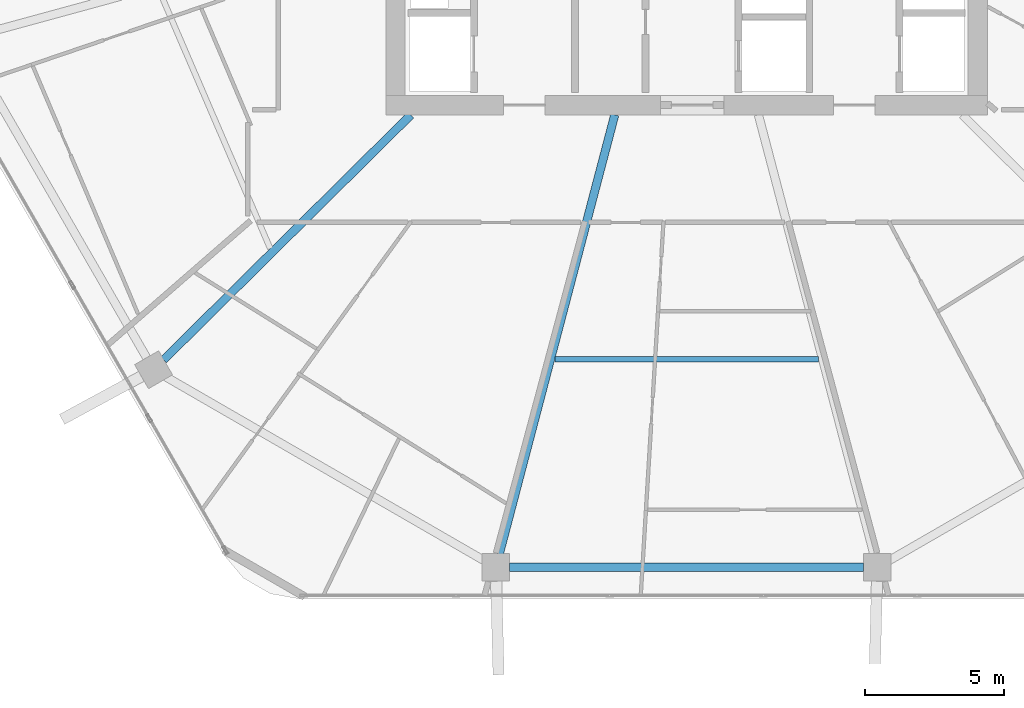
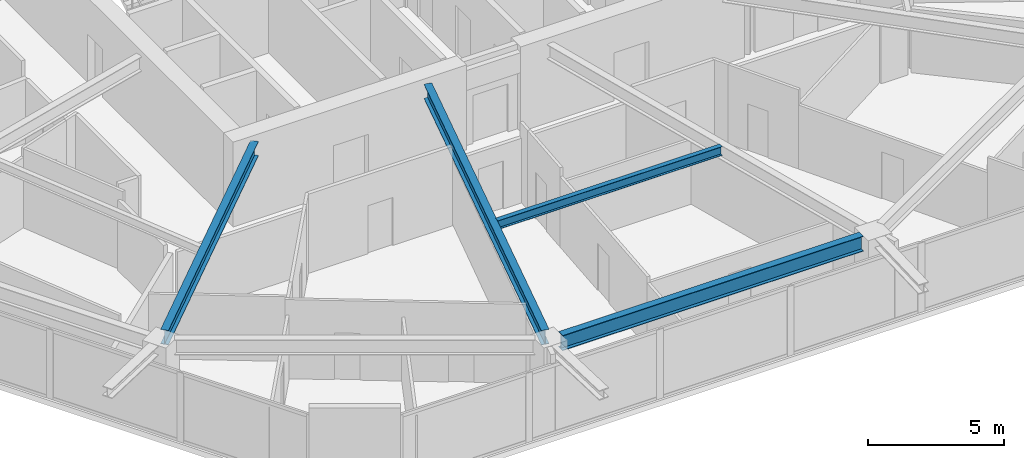
# One storey, part 4 of 26: 4 beams.
"""IFC4 building model written with IfcOpenShell, lengths in metres."""

import ifcopenshell
import ifcopenshell.guid

model = None  # the IFC model being written
_history = None  # IfcOwnerHistory: only IFC2X3 demands one
_inside = {}  # id of a spatial element -> (the spatial element, [elements in it])
_under = {}  # id of a project, library or spatial element -> (it, [spatial elements below it])
_declared = {}  # id of a project -> (the project, [libraries it declares])
_typed = {}  # id of a type object -> (the type object, [elements of that type])
_made_of = {}  # id of a material, layer set ... -> (it, [elements and type objects made of it])


def new_model(schema):
    """Start an empty IFC model of exactly this schema.

    Asked for "IFC4X3", IfcOpenShell would pick the latest addendum, in which some entities
    have other attributes; the version numbers below select the first issue.
    IFC2X3 requires an IfcOwnerHistory on every rooted entity: one is made here for all.
    """
    global model, _history
    if schema == "IFC4X3":
        model = ifcopenshell.file(schema_version=(4, 3, 0, 0))
    else:
        model = ifcopenshell.file(schema=schema)
    _inside.clear()
    _under.clear()
    _declared.clear()
    _typed.clear()
    _made_of.clear()
    _history = None
    if model.schema == "IFC2X3":
        org = make("IfcOrganization", Name="unknown")
        user = make(
            "IfcPersonAndOrganization",
            ThePerson=make("IfcPerson", FamilyName="unknown"),
            TheOrganization=org,
        )
        app = make(
            "IfcApplication",
            ApplicationDeveloper=org,
            Version="unknown",
            ApplicationFullName="unknown",
            ApplicationIdentifier="unknown",
        )
        _history = make(
            "IfcOwnerHistory",
            OwningUser=user,
            OwningApplication=app,
            ChangeAction="ADDED",
            CreationDate=0,
        )
    return model


def make(cls, **values):
    """One entity of the class cls with the attributes given. An attribute that is None is left unset."""
    return model.create_entity(
        cls, **{name: value for name, value in values.items() if value is not None}
    )


def rooted(cls, **values):
    """An entity with a GlobalId (a new one), such as an element, a storey or a relation."""
    return make(cls, GlobalId=ifcopenshell.guid.new(), OwnerHistory=_history, **values)


def si_unit(unit_type, name, prefix=None):
    """IfcSIUnit, for example si_unit("LENGTHUNIT", "METRE", prefix="MILLI")."""
    return make("IfcSIUnit", UnitType=unit_type, Prefix=prefix, Name=name)


def assignment(units):
    """IfcUnitAssignment: the units of a project."""
    return None if units is None else make("IfcUnitAssignment", Units=units)


def point(xyz):
    """IfcCartesianPoint."""
    return None if xyz is None else make("IfcCartesianPoint", Coordinates=xyz)


def direction(xyz):
    """IfcDirection."""
    return None if xyz is None else make("IfcDirection", DirectionRatios=xyz)


def frame(location, z_axis=None, x_axis=None):
    """IfcAxis2Placement3D, a coordinate frame: its origin and axes. An axis left out is left unset."""
    return make(
        "IfcAxis2Placement3D",
        Location=point(location),
        Axis=direction(z_axis),
        RefDirection=direction(x_axis),
    )


def frame_2d(location, x_axis=None):
    """IfcAxis2Placement2D, a coordinate frame in the plane: its origin and x axis."""
    return make(
        "IfcAxis2Placement2D", Location=point(location), RefDirection=direction(x_axis)
    )


def origin():
    """The frame at (0, 0, 0) with its axes left unset."""
    return frame((0.0, 0.0, 0.0))


def origin_2d():
    """The frame at (0, 0) in the plane with its x axis left unset."""
    return frame_2d((0.0, 0.0))


def place(relative_to, where):
    """IfcLocalPlacement: puts the frame where relative to a parent placement (None: the world)."""
    return make(
        "IfcLocalPlacement", PlacementRelTo=relative_to, RelativePlacement=where
    )


def context(
    kind, dimensions, precision=None, world=None, true_north=None, identifier=None
):
    """IfcGeometricRepresentationContext, for example the 3D "Model" context."""
    return make(
        "IfcGeometricRepresentationContext",
        ContextIdentifier=identifier,
        ContextType=kind,
        CoordinateSpaceDimension=dimensions,
        Precision=precision,
        WorldCoordinateSystem=world,
        TrueNorth=true_north,
    )


def subcontext(parent, identifier, kind, view, scale=None):
    """IfcGeometricRepresentationSubContext, for example "Body" below "Model"."""
    return make(
        "IfcGeometricRepresentationSubContext",
        ContextIdentifier=identifier,
        ContextType=kind,
        ParentContext=parent,
        TargetScale=scale,
        TargetView=view,
    )


def project(units=None, contexts=None):
    """IfcProject with its units and contexts."""
    return rooted(
        "IfcProject",
        Name="project",
        RepresentationContexts=contexts,
        UnitsInContext=assignment(units),
    )


def spatial(cls, under=None, at=None, **own):
    """A site, building, storey or space (cls), placed at a placement, below another one or the project."""
    s = rooted(cls, ObjectPlacement=at, **own)
    if under is not None:
        _under.setdefault(under.id(), (under, []))[1].append(s)
    return s


def profile(cls, at=None, kind="AREA", **sizes):
    """A parametric profile (cls). Its sizes go by their IFC names, for example OverallWidth=200.0."""
    return make(cls, ProfileType=kind, Position=at, **sizes)


def i_section(**sizes):
    """IfcIShapeProfileDef."""
    return profile("IfcIShapeProfileDef", **sizes)


def extrude(swept, where, along, depth):
    """IfcExtrudedAreaSolid: the profile swept, set in the frame where, extruded along a direction by depth."""
    return make(
        "IfcExtrudedAreaSolid",
        SweptArea=swept,
        Position=where,
        ExtrudedDirection=direction(along),
        Depth=depth,
    )


def shape(context_of_items, identifier, shape_type, items):
    """IfcShapeRepresentation: the items that make up one representation, for example the "Body"."""
    return make(
        "IfcShapeRepresentation",
        ContextOfItems=context_of_items,
        RepresentationIdentifier=identifier,
        RepresentationType=shape_type,
        Items=items,
    )


def material(Name=None, Category=None):
    """IfcMaterial."""
    return make("IfcMaterial", Name=Name, Category=Category)


def material_profile(
    of_material, cross_section, Name=None, Category=None, Priority=None
):
    """IfcMaterialProfile: a cross section and its material."""
    return make(
        "IfcMaterialProfile",
        Name=Name,
        Material=of_material,
        Profile=cross_section,
        Priority=Priority,
        Category=Category,
    )


def profile_set(profiles, Name=None, composite=None):
    """IfcMaterialProfileSet."""
    return make(
        "IfcMaterialProfileSet",
        Name=Name,
        MaterialProfiles=profiles,
        CompositeProfile=composite,
    )


def made_of(thing, what):
    """Note that an element or type object is made of a material, layer set ...; save() writes the relation."""
    if what is not None:
        _made_of.setdefault(what.id(), (what, []))[1].append(thing)
    return thing


def type_object(cls, material=None, **own):
    """A type object (cls), such as IfcWallType, which elements share."""
    return made_of(rooted(cls, **own), material)


def element(
    cls,
    number,
    at=None,
    inside=None,
    cuts=None,
    type_object=None,
    material=None,
    context=None,
    identifier="Body",
    shape_type=None,
    held_by="IfcProductDefinitionShape",
    body=None,
    shapes=None,
    **own,
):
    """One element of the class cls, such as IfcWall. Its Tag is "e" and its number.

    at: its placement. inside: the storey or other place that contains it. cuts: it is an
    opening in that element (IfcRelVoidsElement). A single representation is given by context,
    identifier, shape_type and body (its items); several are given by shapes. held_by: the class
    of the entity that holds the representations. save() writes the other relations.
    """
    e = rooted(cls, Tag="e%d" % number, ObjectPlacement=at, **own)
    if body is not None:
        shapes = [shape(context, identifier, shape_type, body)]
    if shapes is not None:
        e.Representation = make(held_by, Representations=shapes)
    if inside is not None:
        _inside.setdefault(inside.id(), (inside, []))[1].append(e)
    if cuts is not None:
        rooted(
            "IfcRelVoidsElement", RelatingBuildingElement=cuts, RelatedOpeningElement=e
        )
    if type_object is not None:
        _typed.setdefault(type_object.id(), (type_object, []))[1].append(e)
    return made_of(e, material)


def aggregate(whole, parts):
    """IfcRelAggregates: a whole, such as a stair, and the parts it consists of."""
    return rooted("IfcRelAggregates", RelatingObject=whole, RelatedObjects=parts)


def save(model, path):
    """Write the relations noted so far, then the file.

    IfcRelAggregates (storeys below a building ...), IfcRelContainedInSpatialStructure (elements
    in a storey), IfcRelDefinesByType, IfcRelAssociatesMaterial and IfcRelDeclares: one each for
    every whole, place, type object, material and project.
    """
    for whole, parts in _under.values():
        aggregate(whole, parts)
    for where, things in _inside.values():
        rooted(
            "IfcRelContainedInSpatialStructure",
            RelatedElements=things,
            RelatingStructure=where,
        )
    for kind, things in _typed.values():
        rooted("IfcRelDefinesByType", RelatedObjects=things, RelatingType=kind)
    for what, things in _made_of.values():
        rooted("IfcRelAssociatesMaterial", RelatedObjects=things, RelatingMaterial=what)
    for by, libraries in _declared.values():
        rooted("IfcRelDeclares", RelatingContext=by, RelatedDefinitions=libraries)
    model.write(path)


model = new_model("IFC4")

# Units and contexts
model_context = context("Model", 3, precision=1e-05, world=origin(), true_north=direction((0.0, 1.0)))
body_context = subcontext(model_context, "Body", "Model", "MODEL_VIEW")
ifc_project = project(units=[si_unit("LENGTHUNIT", "METRE"), si_unit("AREAUNIT", "SQUARE_METRE"), si_unit("VOLUMEUNIT", "CUBIC_METRE"), si_unit("PLANEANGLEUNIT", "RADIAN"), si_unit("MASSUNIT", "GRAM", prefix="KILO")], contexts=[model_context])

# Site, building, storey
site_placement = place(None, origin())
site = spatial("IfcSite", under=ifc_project, at=site_placement, CompositionType="ELEMENT")
building_placement = place(site_placement, origin())
building = spatial("IfcBuilding", under=site, at=building_placement, Name="Zuhravey Tower", CompositionType="ELEMENT")
storey_placement = place(building_placement, frame((0.0, 0.0, 165.60009765625)))
storey = spatial("IfcBuildingStorey", under=building, at=storey_placement, Name="L41", CompositionType="ELEMENT", Elevation=165.60009765625)

# Beams
ifc_material = material(Name="Steel SM355", Category="steel")
ifc_material_profile_1 = material_profile(ifc_material, i_section(OverallWidth=0.300048828125, OverallDepth=0.679931640625, WebThickness=0.012939453125, FlangeThickness=0.02197265625, at=origin_2d()), Name="H-680x300x13x22")
ifc_profile_set_1 = profile_set([ifc_material_profile_1], Name="Steel SM355")
beam_type_1 = type_object("IfcBeamType", Name="Perimeter Ring Beam H680x300", PredefinedType="BEAM", material=ifc_profile_set_1)
beam_1_placement = place(storey_placement, frame((29.62109375, 5.826904296875, 3.2099609375), z_axis=(1.0, 0.0, 0.0), x_axis=(0.0, 1.0, 0.0)))
element("IfcBeam", 1, at=beam_1_placement, inside=storey, type_object=beam_type_1, Name="L41 PB2 BM-L41-PB-09", PredefinedType="BEAM", context=body_context, shape_type="SweptSolid", body=[
    extrude(i_section(OverallWidth=0.300048828125, OverallDepth=0.679931640625, WebThickness=0.012939453125, FlangeThickness=0.02197265625, at=origin_2d()), origin(), (0.0, 0.0, 1.0), 12.7578125),
])
ifc_material_profile_2 = material_profile(ifc_material, i_section(OverallWidth=0.300048828125, OverallDepth=0.64990234375, WebThickness=0.012939453125, FlangeThickness=0.02197265625, at=origin_2d()), Name="H-650x300x13x22")
ifc_profile_set_2 = profile_set([ifc_material_profile_2], Name="Steel SM355")
beam_type_2 = type_object("IfcBeamType", Name="Radial Primary Girder H650x300", PredefinedType="BEAM", material=ifc_profile_set_2)
beam_2_placement = place(storey_placement, frame((26.054443359375, 22.14697265625, 3.224853515625), z_axis=(-0.71040353357, -0.703794586148, 0.0), x_axis=(0.703794586148, -0.71040353357, 0.0)))
element("IfcBeam", 2, at=beam_2_placement, inside=storey, type_object=beam_type_2, Name="L41 RG2 BM-L41-RAD-08", PredefinedType="BEAM", context=body_context, shape_type="SweptSolid", body=[
    extrude(i_section(OverallWidth=0.300048828125, OverallDepth=0.64990234375, WebThickness=0.012939453125, FlangeThickness=0.02197265625, at=origin_2d()), origin(), (0.0, 0.0, 1.0), 12.559814453125),
])
beam_3_placement = place(storey_placement, frame((33.4091796875, 22.14697265625, 3.224853515625), z_axis=(-0.254300244998, -0.967125320418, 0.0), x_axis=(0.967125320418, -0.254300244998, 0.0)))
element("IfcBeam", 3, at=beam_3_placement, inside=storey, type_object=beam_type_2, Name="L41 RG2 BM-L41-RAD-09", PredefinedType="BEAM", context=body_context, shape_type="SweptSolid", body=[
    extrude(i_section(OverallWidth=0.300048828125, OverallDepth=0.64990234375, WebThickness=0.012939453125, FlangeThickness=0.02197265625, at=origin_2d()), origin(), (0.0, 0.0, 1.0), 16.371826171875),
])
ifc_material_profile_3 = material_profile(ifc_material, i_section(OverallWidth=0.199951171875, OverallDepth=0.39990234375, WebThickness=0.008056640625, FlangeThickness=0.012939453125, at=origin_2d()), Name="H-400x200x8x13")
ifc_profile_set_3 = profile_set([ifc_material_profile_3], Name="Steel SM355")
beam_type_3 = type_object("IfcBeamType", Name="Secondary Floor Joist H400x200", PredefinedType="JOIST", material=ifc_profile_set_3)
beam_4_placement = place(storey_placement, frame((31.245849609375, 13.334228515625, 3.349853515625), z_axis=(1.0, 0.0, 0.0), x_axis=(0.0, 1.0, 0.0)))
element("IfcBeam", 4, at=beam_4_placement, inside=storey, type_object=beam_type_3, Name="L41 SJ2 BM-L41-SJ-09-1", PredefinedType="JOIST", context=body_context, shape_type="SweptSolid", body=[
    extrude(i_section(OverallWidth=0.199951171875, OverallDepth=0.39990234375, WebThickness=0.008056640625, FlangeThickness=0.012939453125, at=origin_2d()), origin(), (0.0, 0.0, 1.0), 9.50830078125),
])

save(model, "model.ifc")
